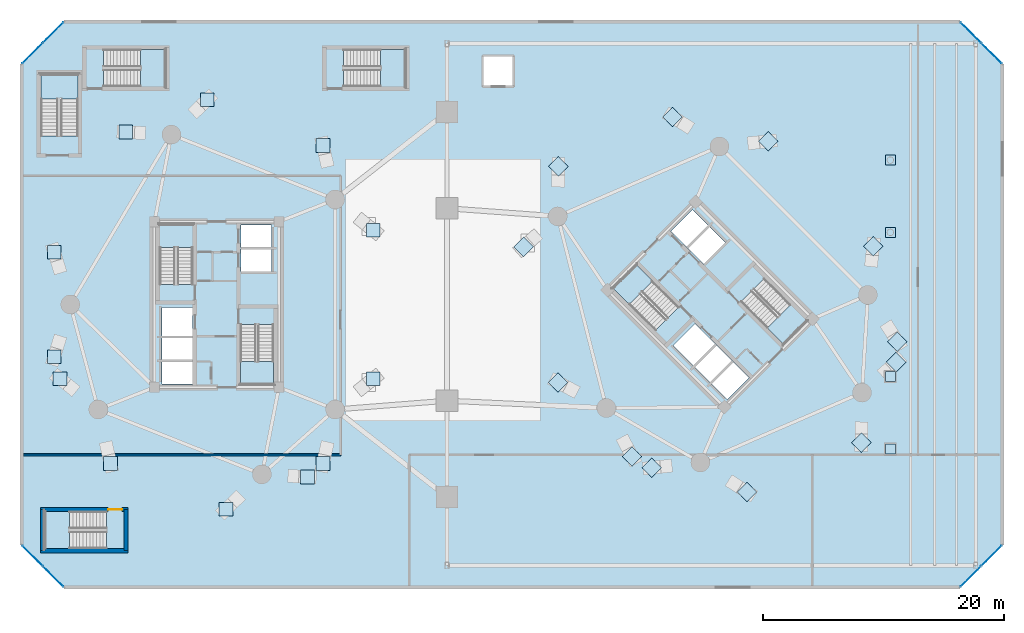
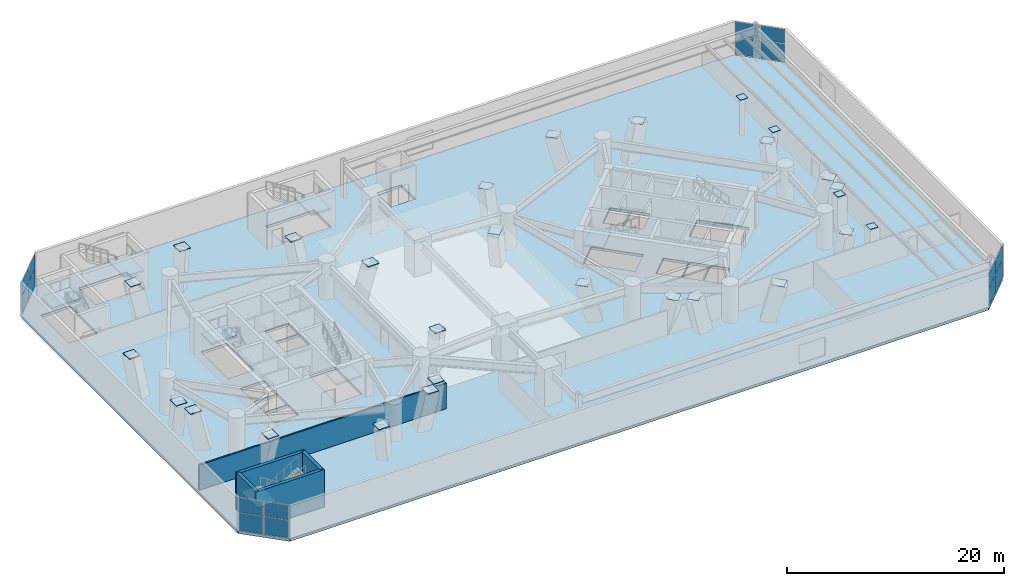
# One storey, part 10 of 20: 44 plates, 9 slabs, 5 walls, 1 door, 1 opening, 12 elements without a shape of their own.
"""IFC4 building model written with IfcOpenShell, lengths in metres."""

from ifc_helpers import new_model, si_unit, direction, frame, frame_2d, origin, origin_2d, place, context, subcontext, project, spatial, polyline, rectangle, outline, extrude, source, transform, mapped, material, layer, layer_set, type_object, element, fill, aggregate, save


model = new_model("IFC4")

# Units and contexts
model_context = context("Model", 3, precision=1e-05, world=origin(), true_north=direction((0.0, 1.0)))
body_context = subcontext(model_context, "Body", "Model", "MODEL_VIEW")
ifc_project = project(units=[si_unit("LENGTHUNIT", "METRE"), si_unit("AREAUNIT", "SQUARE_METRE"), si_unit("VOLUMEUNIT", "CUBIC_METRE"), si_unit("PLANEANGLEUNIT", "RADIAN"), si_unit("MASSUNIT", "GRAM", prefix="KILO")], contexts=[model_context])

# Site, building, storey
site_placement = place(None, origin())
site = spatial("IfcSite", under=ifc_project, at=site_placement, CompositionType="ELEMENT")
building_placement = place(site_placement, origin())
building = spatial("IfcBuilding", under=site, at=building_placement, Name="Cununo Teusaquillo Station Towers", CompositionType="ELEMENT")
storey_placement = place(building_placement, frame((0.0, 0.0, 13.199951171875)))
storey = spatial("IfcBuildingStorey", under=building, at=storey_placement, Name="L03", CompositionType="ELEMENT", Elevation=13.199951171875)

# Slab
ifc_material_1 = material(Name="Concrete C50/60", Category="concrete")
ifc_layer_1 = layer(ifc_material_1, 0.300048828125)
ifc_layer_set_1 = layer_set([ifc_layer_1], Name="Concrete C50/60")
slab_type_1 = type_object("IfcSlabType", Name="SLB-POD-300", PredefinedType="FLOOR", material=ifc_layer_set_1)
slab_1_placement = place(storey_placement, frame((0.0, 0.0, -0.300048828125)))
element("IfcSlab", 1, at=slab_1_placement, inside=storey, type_object=slab_type_1, Name="L03 Structural Slab", PredefinedType="FLOOR", context=body_context, shape_type="SweptSolid", body=[
    extrude(outline(polyline([(3.800048828125, 1.0), (78.300048828125, 1.0), (81.800048828125, 4.5), (81.800048828125, 44.5), (78.300048828125, 48.0), (3.800048828125, 48.0), (0.300048828125, 44.5), (0.300048828125, 4.5), (3.800048828125, 1.0)]), holes=[polyline([(14.52001953125, 26.176025390625), (14.52001953125, 31.159912109375), (11.760009765625, 31.159912109375), (11.760009765625, 26.176025390625), (14.52001953125, 26.176025390625)]), polyline([(18.47998046875, 22.823974609375), (18.47998046875, 17.840087890625), (21.239990234375, 17.840087890625), (21.239990234375, 22.823974609375), (18.47998046875, 22.823974609375)]), polyline([(54.914794921875, 24.28515625), (51.390625, 27.809326171875), (49.43896484375, 25.857666015625), (52.963134765625, 22.33349609375), (54.914794921875, 24.28515625)]), polyline([(60.085205078125, 24.71484375), (63.609375, 21.190673828125), (65.56103515625, 23.142333984375), (62.036865234375, 26.66650390625), (60.085205078125, 24.71484375)]), polyline([(27.055908203125, 42.60009765625), (32.199951171875, 42.60009765625), (32.199951171875, 45.699951171875), (27.055908203125, 45.699951171875), (27.055908203125, 42.60009765625)]), polyline([(7.343994140625, 7.300048828125), (2.199951171875, 7.300048828125), (2.199951171875, 4.199951171875), (7.343994140625, 4.199951171875), (7.343994140625, 7.300048828125)]), polyline([(4.97998046875, 38.506103515625), (4.97998046875, 43.64990234375), (1.8798828125, 43.64990234375), (1.8798828125, 38.506103515625), (4.97998046875, 38.506103515625)]), polyline([(7.10595703125, 42.60009765625), (12.25, 42.60009765625), (12.25, 45.699951171875), (7.10595703125, 45.699951171875), (7.10595703125, 42.60009765625)]), polyline([(11.949951171875, 21.85009765625), (14.47998046875, 21.85009765625), (14.47998046875, 24.25), (11.949951171875, 24.25), (11.949951171875, 21.85009765625)]), polyline([(11.949951171875, 17.89990234375), (14.47998046875, 17.89990234375), (14.47998046875, 19.75), (11.949951171875, 19.75), (11.949951171875, 17.89990234375)]), polyline([(11.949951171875, 19.89990234375), (14.47998046875, 19.89990234375), (14.47998046875, 21.75), (11.949951171875, 21.75), (11.949951171875, 19.89990234375)]), polyline([(18.52001953125, 27.25), (21.050048828125, 27.25), (21.050048828125, 29.10009765625), (18.52001953125, 29.10009765625), (18.52001953125, 27.25)]), polyline([(18.52001953125, 29.25), (21.050048828125, 29.25), (21.050048828125, 31.10009765625), (18.52001953125, 31.10009765625), (18.52001953125, 29.25)]), polyline([(56.156494140625, 19.40869140625), (57.945556640625, 21.19775390625), (56.248291015625, 22.89501953125), (54.45947265625, 21.10595703125), (56.156494140625, 19.40869140625)]), polyline([(58.94970703125, 16.61572265625), (60.738525390625, 18.40478515625), (59.430419921875, 19.712890625), (57.641357421875, 17.923828125), (58.94970703125, 16.61572265625)]), polyline([(57.535400390625, 18.030029296875), (59.32421875, 19.819091796875), (58.01611328125, 21.127197265625), (56.227294921875, 19.338134765625), (57.535400390625, 18.030029296875)]), polyline([(56.98388671875, 27.872802734375), (58.772705078125, 29.661865234375), (57.464599609375, 30.969970703125), (55.67578125, 29.180908203125), (56.98388671875, 27.872802734375)]), polyline([(55.569580078125, 29.287109375), (57.358642578125, 31.076171875), (56.05029296875, 32.38427734375), (54.261474609375, 30.59521484375), (55.569580078125, 29.287109375)]), polyline([(38.60009765625, 42.60009765625), (41.199951171875, 42.60009765625), (41.199951171875, 45.199951171875), (38.60009765625, 45.199951171875), (38.60009765625, 42.60009765625)])]), origin(), (0.0, 0.0, 1.0), 0.300048828125),
])

# Stair, slab
ifc_material_2 = material(Name="Concrete C50/60", Category="concrete")
stair_type_1 = type_object("IfcStairType", Name="ST-TWR-1300", PredefinedType="HALF_TURN_STAIR", material=ifc_material_2)
stair_1_placement = place(storey_placement, origin())
stair_1 = element("IfcStair", 2, at=stair_1_placement, inside=storey, type_object=stair_type_1, Name="L03 Tower A Protected Core Exit Stair 1", PredefinedType="HALF_TURN_STAIR")
ifc_material_3 = material(Name="Concrete C50/60", Category="concrete")
ifc_layer_2 = layer(ifc_material_3, 0.199951171875)
ifc_layer_set_2 = layer_set([ifc_layer_2], Name="Concrete C50/60")
slab_type_2 = type_object("IfcSlabType", Name="SLB-STAIR-LND", PredefinedType="LANDING", material=ifc_layer_set_2)
slab_2_placement = place(storey_placement, frame((0.0, 0.0, 1.900146484375)))
slab_2 = element("IfcSlab", 3, at=slab_2_placement, type_object=slab_type_2, Name="ST-T1-1 landing 1", PredefinedType="LANDING", context=body_context, shape_type="SweptSolid", body=[
    extrude(outline(polyline([(14.52001953125, 29.25), (14.52001953125, 31.159912109375), (11.760009765625, 31.159912109375), (11.760009765625, 29.25), (14.52001953125, 29.25)])), origin(), (0.0, 0.0, 1.0), 0.199951171875),
])
aggregate(stair_1, [slab_2])

stair_2_placement = place(storey_placement, origin())
stair_2 = element("IfcStair", 4, at=stair_2_placement, inside=storey, type_object=stair_type_1, Name="L03 Tower A Protected Core Exit Stair 2", PredefinedType="HALF_TURN_STAIR")
slab_3_placement = place(storey_placement, frame((0.0, 0.0, 1.900146484375)))
slab_3 = element("IfcSlab", 5, at=slab_3_placement, type_object=slab_type_2, Name="ST-T1-2 landing 1", PredefinedType="LANDING", context=body_context, shape_type="SweptSolid", body=[
    extrude(outline(polyline([(18.47998046875, 19.75), (18.47998046875, 17.840087890625), (21.239990234375, 17.840087890625), (21.239990234375, 19.75), (18.47998046875, 19.75)])), origin(), (0.0, 0.0, 1.0), 0.199951171875),
])
aggregate(stair_2, [slab_3])

stair_3_placement = place(storey_placement, origin())
stair_3 = element("IfcStair", 6, at=stair_3_placement, inside=storey, type_object=stair_type_1, Name="L03 Tower B Protected Core Exit Stair 1", PredefinedType="HALF_TURN_STAIR")
slab_4_placement = place(storey_placement, frame((0.0, 0.0, 1.900146484375)))
slab_4 = element("IfcSlab", 7, at=slab_4_placement, type_object=slab_type_2, Name="ST-T2-1 landing 1", PredefinedType="LANDING", context=body_context, shape_type="SweptSolid", body=[
    extrude(outline(polyline([(52.7412109375, 26.458740234375), (51.390625, 27.809326171875), (49.43896484375, 25.857666015625), (50.78955078125, 24.507080078125), (52.7412109375, 26.458740234375)])), origin(), (0.0, 0.0, 1.0), 0.199951171875),
])
aggregate(stair_3, [slab_4])

stair_4_placement = place(storey_placement, origin())
stair_4 = element("IfcStair", 8, at=stair_4_placement, inside=storey, type_object=stair_type_1, Name="L03 Tower B Protected Core Exit Stair 2", PredefinedType="HALF_TURN_STAIR")
slab_5_placement = place(storey_placement, frame((0.0, 0.0, 1.900146484375)))
slab_5 = element("IfcSlab", 9, at=slab_5_placement, type_object=slab_type_2, Name="ST-T2-2 landing 1", PredefinedType="LANDING", context=body_context, shape_type="SweptSolid", body=[
    extrude(outline(polyline([(62.2587890625, 22.541259765625), (63.609375, 21.190673828125), (65.56103515625, 23.142333984375), (64.21044921875, 24.492919921875), (62.2587890625, 22.541259765625)])), origin(), (0.0, 0.0, 1.0), 0.199951171875),
])
aggregate(stair_4, [slab_5])

ifc_material_4 = material(Name="Concrete C50/60", Category="concrete")
stair_type_2 = type_object("IfcStairType", Name="ST-POD-1450", PredefinedType="HALF_TURN_STAIR", material=ifc_material_4)
stair_5_placement = place(storey_placement, origin())
stair_5 = element("IfcStair", 10, at=stair_5_placement, inside=storey, type_object=stair_type_2, Name="L03 Station Podium North Protected Exit Stair", PredefinedType="HALF_TURN_STAIR")
slab_6_placement = place(storey_placement, frame((0.0, 0.0, 1.900146484375)))
slab_6 = element("IfcSlab", 11, at=slab_6_placement, type_object=slab_type_2, Name="ST-POD-N landing 1", PredefinedType="LANDING", context=body_context, shape_type="SweptSolid", body=[
    extrude(outline(polyline([(30.1298828125, 42.60009765625), (32.199951171875, 42.60009765625), (32.199951171875, 45.699951171875), (30.1298828125, 45.699951171875), (30.1298828125, 42.60009765625)])), origin(), (0.0, 0.0, 1.0), 0.199951171875),
])
aggregate(stair_5, [slab_6])

stair_6_placement = place(storey_placement, origin())
stair_6 = element("IfcStair", 12, at=stair_6_placement, inside=storey, type_object=stair_type_2, Name="L03 Station Podium South Protected Exit Stair", PredefinedType="HALF_TURN_STAIR")
slab_7_placement = place(storey_placement, frame((0.0, 0.0, 1.900146484375)))
slab_7 = element("IfcSlab", 13, at=slab_7_placement, type_object=slab_type_2, Name="ST-POD-S landing 1", PredefinedType="LANDING", context=body_context, shape_type="SweptSolid", body=[
    extrude(outline(polyline([(4.27001953125, 7.300048828125), (2.199951171875, 7.300048828125), (2.199951171875, 4.199951171875), (4.27001953125, 4.199951171875), (4.27001953125, 7.300048828125)])), origin(), (0.0, 0.0, 1.0), 0.199951171875),
])
aggregate(stair_6, [slab_7])

stair_7_placement = place(storey_placement, origin())
stair_7 = element("IfcStair", 14, at=stair_7_placement, inside=storey, type_object=stair_type_2, Name="L03 Station Podium West Protected Exit Stair", PredefinedType="HALF_TURN_STAIR")
slab_8_placement = place(storey_placement, frame((0.0, 0.0, 1.900146484375)))
slab_8 = element("IfcSlab", 15, at=slab_8_placement, type_object=slab_type_2, Name="ST-POD-W landing 1", PredefinedType="LANDING", context=body_context, shape_type="SweptSolid", body=[
    extrude(outline(polyline([(4.97998046875, 41.580078125), (4.97998046875, 43.64990234375), (1.8798828125, 43.64990234375), (1.8798828125, 41.580078125), (4.97998046875, 41.580078125)])), origin(), (0.0, 0.0, 1.0), 0.199951171875),
])
aggregate(stair_7, [slab_8])

stair_8_placement = place(storey_placement, origin())
stair_8 = element("IfcStair", 16, at=stair_8_placement, inside=storey, type_object=stair_type_2, Name="L03 Station Podium North-West Protected Exit Stair", PredefinedType="HALF_TURN_STAIR")
slab_9_placement = place(storey_placement, frame((0.0, 0.0, 1.900146484375)))
slab_9 = element("IfcSlab", 17, at=slab_9_placement, type_object=slab_type_2, Name="ST-POD-C landing 1", PredefinedType="LANDING", context=body_context, shape_type="SweptSolid", body=[
    extrude(outline(polyline([(10.179931640625, 42.60009765625), (12.25, 42.60009765625), (12.25, 45.699951171875), (10.179931640625, 45.699951171875), (10.179931640625, 42.60009765625)])), origin(), (0.0, 0.0, 1.0), 0.199951171875),
])
aggregate(stair_8, [slab_9])

# Plates
ifc_material_5 = material(Name="Steel ASTM A572 Grade 50", Category="steel")
ifc_layer_3 = layer(ifc_material_5, 0.0400390625)
ifc_layer_set_3 = layer_set([ifc_layer_3], Name="Steel ASTM A572 Grade 50")
plate_type_1 = type_object("IfcPlateType", Name="PLT-NODE-CRN1", PredefinedType="USERDEFINED", material=ifc_layer_set_3)
shared_shape_1 = source(origin(), body_context, "Body", "SweptSolid", [
    extrude(rectangle(XDim=0.820068359375, YDim=0.820068359375, at=origin_2d()), origin(), (0.0, 0.0, 1.0), 0.0400390625),
])
for number, where, z_axis, x_axis, name in (
    (18, (72.5, 12.5, 4.199951171875), (0.0, 0.0, 1.0), (1.0, 0.0, 0.0), "L03 East Gallery Column Sealed Cap Plate 1"),
    (19, (72.5, 18.5, 4.199951171875), (0.0, 0.0, 1.0), (1.0, 0.0, 0.0), "L03 East Gallery Column Sealed Cap Plate 2"),
    (20, (72.5, 30.5, 4.199951171875), (0.0, 0.0, 1.0), (1.0, 0.0, 0.0), "L03 East Gallery Column Sealed Cap Plate 3"),
    (21, (72.5, 36.5, 4.199951171875), (0.0, 0.0, 1.0), (1.0, 0.0, 0.0), "L03 East Gallery Column Sealed Cap Plate 4"),
):
    element("IfcPlate", number, at=place(storey_placement, frame(where, z_axis=z_axis, x_axis=x_axis)), inside=storey, type_object=plate_type_1, Name=name, ObjectType="GUSSET PLATE", PredefinedType="USERDEFINED", context=body_context, shape_type="MappedRepresentation", body=[
        mapped(shared_shape_1, transform((0.0, 0.0, 0.0), x_axis=(1.0, 0.0, 0.0), y_axis=(0.0, 1.0, 0.0), z_axis=(0.0, 0.0, 1.0), scale=1.0)),
    ])
ifc_material_6 = material(Name="Steel ASTM A572 Grade 50", Category="steel")
ifc_layer_4 = layer(ifc_material_6, 0.06005859375)
ifc_layer_set_4 = layer_set([ifc_layer_4], Name="Steel ASTM A572 Grade 50")
plate_type_2 = type_object("IfcPlateType", Name="PLT-NODE-BDN1", PredefinedType="USERDEFINED", material=ifc_layer_set_4)
shared_shape_2 = source(origin(), body_context, "Body", "SweptSolid", [
    extrude(rectangle(XDim=1.14990234375, YDim=1.14990234375, at=origin_2d()), origin(), (0.0, 0.0, 1.0), 0.06005859375),
])
for number, where, z_axis, x_axis, name in (
    (22, (29.519287109375, 30.673095703125, 4.14013671875), (0.0, 0.0, 1.0), (1.0, 0.0, 0.0), "L03 Tower A V-Foot Pier Head Plate V02L"),
    (23, (25.332763671875, 37.708251953125, 4.14013671875), (0.0, 0.0, 1.0), (1.0, 0.0, 0.0), "L03 Tower A V-Foot Pier Head Plate V02R"),
    (24, (15.71337890625, 41.523193359375, 4.14013671875), (0.0, 0.0, 1.0), (1.0, 0.0, 0.0), "L03 Tower A V-Foot Pier Head Plate V06L"),
    (25, (8.939697265625, 38.836181640625, 4.14013671875), (0.0, 0.0, 1.0), (1.0, 0.0, 0.0), "L03 Tower A V-Foot Pier Head Plate V06R"),
    (26, (2.99462890625, 28.847900390625, 4.14013671875), (0.0, 0.0, 1.0), (1.0, 0.0, 0.0), "L03 Tower A V-Foot Pier Head Plate V10L"),
    (27, (2.99462890625, 20.152099609375, 4.14013671875), (0.0, 0.0, 1.0), (1.0, 0.0, 0.0), "L03 Tower A V-Foot Pier Head Plate V10R"),
    (28, (3.480712890625, 18.326904296875, 4.14013671875), (0.0, 0.0, 1.0), (1.0, 0.0, 0.0), "L03 Tower A V-Foot Pier Head Plate V12L"),
    (29, (7.667236328125, 11.291748046875, 4.14013671875), (0.0, 0.0, 1.0), (1.0, 0.0, 0.0), "L03 Tower A V-Foot Pier Head Plate V12R"),
    (30, (17.28662109375, 7.476806640625, 4.14013671875), (0.0, 0.0, 1.0), (1.0, 0.0, 0.0), "L03 Tower A V-Foot Pier Head Plate V16L"),
    (31, (24.060302734375, 10.163818359375, 4.14013671875), (0.0, 0.0, 1.0), (1.0, 0.0, 0.0), "L03 Tower A V-Foot Pier Head Plate V16R"),
    (32, (25.332763671875, 11.291748046875, 4.14013671875), (0.0, 0.0, 1.0), (1.0, 0.0, 0.0), "L03 Tower A V-Foot Pier Head Plate V18L"),
    (33, (29.519287109375, 18.326904296875, 4.14013671875), (0.0, 0.0, 1.0), (1.0, 0.0, 0.0), "L03 Tower A V-Foot Pier Head Plate V18R"),
    (34, (62.341064453125, 38.071044921875, 4.14013671875), (0.0, 0.0, 1.0), (0.707106781187, 0.707106781187, 0.0), "L03 Tower B V-Foot Pier Head Plate V02L"),
    (35, (54.40625, 40.08544921875, 4.14013671875), (0.0, 0.0, 1.0), (0.707106781187, 0.707106781187, 0.0), "L03 Tower B V-Foot Pier Head Plate V02R"),
    (36, (44.906494140625, 35.981201171875, 4.14013671875), (0.0, 0.0, 1.0), (0.707106781187, 0.707106781187, 0.0), "L03 Tower B V-Foot Pier Head Plate V06L"),
    (37, (42.016845703125, 29.291259765625, 4.14013671875), (0.0, 0.0, 1.0), (0.707106781187, 0.707106781187, 0.0), "L03 Tower B V-Foot Pier Head Plate V06R"),
    (38, (44.875732421875, 18.024658203125, 4.14013671875), (0.0, 0.0, 1.0), (0.707106781187, 0.707106781187, 0.0), "L03 Tower B V-Foot Pier Head Plate V10L"),
    (39, (51.024658203125, 11.875732421875, 4.14013671875), (0.0, 0.0, 1.0), (0.707106781187, 0.707106781187, 0.0), "L03 Tower B V-Foot Pier Head Plate V10R"),
    (40, (52.658935546875, 10.928955078125, 4.14013671875), (0.0, 0.0, 1.0), (0.707106781187, 0.707106781187, 0.0), "L03 Tower B V-Foot Pier Head Plate V12L"),
    (41, (60.59375, 8.91455078125, 4.14013671875), (0.0, 0.0, 1.0), (0.707106781187, 0.707106781187, 0.0), "L03 Tower B V-Foot Pier Head Plate V12R"),
    (42, (70.093505859375, 13.018798828125, 4.14013671875), (0.0, 0.0, 1.0), (0.707106781187, 0.707106781187, 0.0), "L03 Tower B V-Foot Pier Head Plate V16L"),
    (43, (72.983154296875, 19.708740234375, 4.14013671875), (0.0, 0.0, 1.0), (0.707106781187, 0.707106781187, 0.0), "L03 Tower B V-Foot Pier Head Plate V16R"),
    (44, (73.08544921875, 21.40625, 4.14013671875), (0.0, 0.0, 1.0), (0.707106781187, 0.707106781187, 0.0), "L03 Tower B V-Foot Pier Head Plate V18L"),
    (45, (71.071044921875, 29.341064453125, 4.14013671875), (0.0, 0.0, 1.0), (0.707106781187, 0.707106781187, 0.0), "L03 Tower B V-Foot Pier Head Plate V18R"),
):
    element("IfcPlate", number, at=place(storey_placement, frame(where, z_axis=z_axis, x_axis=x_axis)), inside=storey, type_object=plate_type_2, Name=name, ObjectType="BASE PLATE", PredefinedType="USERDEFINED", context=body_context, shape_type="MappedRepresentation", body=[
        mapped(shared_shape_2, transform((0.0, 0.0, 0.0), x_axis=(1.0, 0.0, 0.0), y_axis=(0.0, 1.0, 0.0), z_axis=(0.0, 0.0, 1.0), scale=1.0)),
    ])

# Curtain wall, plates
ifc_material_7 = material(Name="Ceramic-fritted dark low-E double glazing", Category="glass")
ifc_layer_5 = layer(ifc_material_7, 0.179931640625)
ifc_layer_set_5 = layer_set([ifc_layer_5], Name="Ceramic-fritted dark low-E double glazing")
curtain_wall_type = type_object("IfcCurtainWallType", Name="CW-SYS-01", PredefinedType="USERDEFINED", material=ifc_layer_set_5)
curtain_wall_1_placement = place(storey_placement, origin())
curtain_wall_1 = element("IfcCurtainWall", 46, at=curtain_wall_1_placement, inside=storey, type_object=curtain_wall_type, Name="L03 Station Podium Corner Curtain Wall 2", ObjectType="FRITTED GLAZING", PredefinedType="USERDEFINED")
ifc_material_8 = material(Name="Ceramic-fritted dark low-E double glazing", Category="glass")
ifc_layer_6 = layer(ifc_material_8, 0.028076171875)
ifc_layer_set_6 = layer_set([ifc_layer_6], Name="Ceramic-fritted dark low-E double glazing")
plate_type_3 = type_object("IfcPlateType", Name="CWP-FRIT-28", PredefinedType="CURTAIN_PANEL", material=ifc_layer_set_6)
shared_shape_3 = source(origin(), body_context, "Body", "SweptSolid", [
    extrude(rectangle(XDim=2.35498046875, YDim=0.028076171875, at=origin_2d()), origin(), (0.0, 0.0, 1.0), 1.985107421875),
])
plate_1_placement = place(storey_placement, frame((1.189208984375, 45.38916015625, 0.06982421875), z_axis=(0.0, 0.0, 1.0), x_axis=(0.707106781187, 0.707106781187, 0.0)))
plate_1 = element("IfcPlate", 47, at=plate_1_placement, type_object=plate_type_3, Name="CW-01 panel 1.1", PredefinedType="CURTAIN_PANEL", context=body_context, shape_type="MappedRepresentation", body=[
    mapped(shared_shape_3, transform((0.0, 0.0, 0.0), x_axis=(1.0, 0.0, 0.0), y_axis=(0.0, 1.0, 0.0), z_axis=(0.0, 0.0, 1.0), scale=1.0)),
])
plate_2_placement = place(storey_placement, frame((2.910888671875, 47.11083984375, 0.06982421875), z_axis=(0.0, 0.0, 1.0), x_axis=(0.707106781187, 0.707106781187, 0.0)))
plate_2 = element("IfcPlate", 48, at=plate_2_placement, type_object=plate_type_3, Name="CW-01 panel 2.1", PredefinedType="CURTAIN_PANEL", context=body_context, shape_type="MappedRepresentation", body=[
    mapped(shared_shape_3, transform((0.0, 0.0, 0.0), x_axis=(1.0, 0.0, 0.0), y_axis=(0.0, 1.0, 0.0), z_axis=(0.0, 0.0, 1.0), scale=1.0)),
])

curtain_wall_2_placement = place(storey_placement, origin())
curtain_wall_2 = element("IfcCurtainWall", 49, at=curtain_wall_2_placement, inside=storey, type_object=curtain_wall_type, Name="L03 Station Podium Corner Curtain Wall 4", ObjectType="FRITTED GLAZING", PredefinedType="USERDEFINED")
plate_3_placement = place(storey_placement, frame((79.189208984375, 47.11083984375, 0.06982421875), z_axis=(0.0, 0.0, 1.0), x_axis=(0.707106781187, -0.707106781187, 0.0)))
plate_3 = element("IfcPlate", 50, at=plate_3_placement, type_object=plate_type_3, Name="CW-01 panel 1.1", PredefinedType="CURTAIN_PANEL", context=body_context, shape_type="MappedRepresentation", body=[
    mapped(shared_shape_3, transform((0.0, 0.0, 0.0), x_axis=(1.0, 0.0, 0.0), y_axis=(0.0, 1.0, 0.0), z_axis=(0.0, 0.0, 1.0), scale=1.0)),
])
plate_4_placement = place(storey_placement, frame((80.910888671875, 45.38916015625, 0.06982421875), z_axis=(0.0, 0.0, 1.0), x_axis=(0.707106781187, -0.707106781187, 0.0)))
plate_4 = element("IfcPlate", 51, at=plate_4_placement, type_object=plate_type_3, Name="CW-01 panel 2.1", PredefinedType="CURTAIN_PANEL", context=body_context, shape_type="MappedRepresentation", body=[
    mapped(shared_shape_3, transform((0.0, 0.0, 0.0), x_axis=(1.0, 0.0, 0.0), y_axis=(0.0, 1.0, 0.0), z_axis=(0.0, 0.0, 1.0), scale=1.0)),
])

curtain_wall_3_placement = place(storey_placement, origin())
curtain_wall_3 = element("IfcCurtainWall", 52, at=curtain_wall_3_placement, inside=storey, type_object=curtain_wall_type, Name="L03 Station Podium Corner Curtain Wall 6", ObjectType="FRITTED GLAZING", PredefinedType="USERDEFINED")
plate_5_placement = place(storey_placement, frame((80.910888671875, 3.61083984375, 0.06982421875), z_axis=(0.0, 0.0, 1.0), x_axis=(-0.707106781187, -0.707106781187, 0.0)))
plate_5 = element("IfcPlate", 53, at=plate_5_placement, type_object=plate_type_3, Name="CW-01 panel 1.1", PredefinedType="CURTAIN_PANEL", context=body_context, shape_type="MappedRepresentation", body=[
    mapped(shared_shape_3, transform((0.0, 0.0, 0.0), x_axis=(1.0, 0.0, 0.0), y_axis=(0.0, 1.0, 0.0), z_axis=(0.0, 0.0, 1.0), scale=1.0)),
])
plate_6_placement = place(storey_placement, frame((79.189208984375, 1.88916015625, 0.06982421875), z_axis=(0.0, 0.0, 1.0), x_axis=(-0.707106781187, -0.707106781187, 0.0)))
plate_6 = element("IfcPlate", 54, at=plate_6_placement, type_object=plate_type_3, Name="CW-01 panel 2.1", PredefinedType="CURTAIN_PANEL", context=body_context, shape_type="MappedRepresentation", body=[
    mapped(shared_shape_3, transform((0.0, 0.0, 0.0), x_axis=(1.0, 0.0, 0.0), y_axis=(0.0, 1.0, 0.0), z_axis=(0.0, 0.0, 1.0), scale=1.0)),
])

curtain_wall_4_placement = place(storey_placement, origin())
curtain_wall_4 = element("IfcCurtainWall", 55, at=curtain_wall_4_placement, inside=storey, type_object=curtain_wall_type, Name="L03 Station Podium Corner Curtain Wall 8", ObjectType="FRITTED GLAZING", PredefinedType="USERDEFINED")
plate_7_placement = place(storey_placement, frame((2.910888671875, 1.88916015625, 0.06982421875), z_axis=(0.0, 0.0, 1.0), x_axis=(-0.707106781187, 0.707106781187, 0.0)))
plate_7 = element("IfcPlate", 56, at=plate_7_placement, type_object=plate_type_3, Name="CW-01 panel 1.1", PredefinedType="CURTAIN_PANEL", context=body_context, shape_type="MappedRepresentation", body=[
    mapped(shared_shape_3, transform((0.0, 0.0, 0.0), x_axis=(1.0, 0.0, 0.0), y_axis=(0.0, 1.0, 0.0), z_axis=(0.0, 0.0, 1.0), scale=1.0)),
])
plate_8_placement = place(storey_placement, frame((1.189208984375, 3.61083984375, 0.06982421875), z_axis=(0.0, 0.0, 1.0), x_axis=(-0.707106781187, 0.707106781187, 0.0)))
plate_8 = element("IfcPlate", 57, at=plate_8_placement, type_object=plate_type_3, Name="CW-01 panel 2.1", PredefinedType="CURTAIN_PANEL", context=body_context, shape_type="MappedRepresentation", body=[
    mapped(shared_shape_3, transform((0.0, 0.0, 0.0), x_axis=(1.0, 0.0, 0.0), y_axis=(0.0, 1.0, 0.0), z_axis=(0.0, 0.0, 1.0), scale=1.0)),
])

# Plate
shared_shape_4 = source(origin(), body_context, "Body", "SweptSolid", [
    extrude(rectangle(XDim=2.35498046875, YDim=0.028076171875, at=origin_2d()), origin(), (0.0, 0.0, 1.0), 1.60498046875),
])
plate_9_placement = place(storey_placement, frame((1.189208984375, 45.38916015625, 2.125), z_axis=(0.0, 0.0, 1.0), x_axis=(0.707106781187, 0.707106781187, 0.0)))
plate_9 = element("IfcPlate", 58, at=plate_9_placement, type_object=plate_type_3, Name="CW-01 panel 1.2", PredefinedType="CURTAIN_PANEL", context=body_context, shape_type="MappedRepresentation", body=[
    mapped(shared_shape_4, transform((0.0, 0.0, 0.0), x_axis=(1.0, 0.0, 0.0), y_axis=(0.0, 1.0, 0.0), z_axis=(0.0, 0.0, 1.0), scale=1.0)),
])

plate_10_placement = place(storey_placement, frame((2.910888671875, 47.11083984375, 2.125), z_axis=(0.0, 0.0, 1.0), x_axis=(0.707106781187, 0.707106781187, 0.0)))
plate_10 = element("IfcPlate", 59, at=plate_10_placement, type_object=plate_type_3, Name="CW-01 panel 2.2", PredefinedType="CURTAIN_PANEL", context=body_context, shape_type="MappedRepresentation", body=[
    mapped(shared_shape_4, transform((0.0, 0.0, 0.0), x_axis=(1.0, 0.0, 0.0), y_axis=(0.0, 1.0, 0.0), z_axis=(0.0, 0.0, 1.0), scale=1.0)),
])

aggregate(curtain_wall_1, [plate_1, plate_9, plate_2, plate_10])

plate_11_placement = place(storey_placement, frame((79.189208984375, 47.11083984375, 2.125), z_axis=(0.0, 0.0, 1.0), x_axis=(0.707106781187, -0.707106781187, 0.0)))
plate_11 = element("IfcPlate", 60, at=plate_11_placement, type_object=plate_type_3, Name="CW-01 panel 1.2", PredefinedType="CURTAIN_PANEL", context=body_context, shape_type="MappedRepresentation", body=[
    mapped(shared_shape_4, transform((0.0, 0.0, 0.0), x_axis=(1.0, 0.0, 0.0), y_axis=(0.0, 1.0, 0.0), z_axis=(0.0, 0.0, 1.0), scale=1.0)),
])

plate_12_placement = place(storey_placement, frame((80.910888671875, 45.38916015625, 2.125), z_axis=(0.0, 0.0, 1.0), x_axis=(0.707106781187, -0.707106781187, 0.0)))
plate_12 = element("IfcPlate", 61, at=plate_12_placement, type_object=plate_type_3, Name="CW-01 panel 2.2", PredefinedType="CURTAIN_PANEL", context=body_context, shape_type="MappedRepresentation", body=[
    mapped(shared_shape_4, transform((0.0, 0.0, 0.0), x_axis=(1.0, 0.0, 0.0), y_axis=(0.0, 1.0, 0.0), z_axis=(0.0, 0.0, 1.0), scale=1.0)),
])

aggregate(curtain_wall_2, [plate_3, plate_11, plate_4, plate_12])

plate_13_placement = place(storey_placement, frame((80.910888671875, 3.61083984375, 2.125), z_axis=(0.0, 0.0, 1.0), x_axis=(-0.707106781187, -0.707106781187, 0.0)))
plate_13 = element("IfcPlate", 62, at=plate_13_placement, type_object=plate_type_3, Name="CW-01 panel 1.2", PredefinedType="CURTAIN_PANEL", context=body_context, shape_type="MappedRepresentation", body=[
    mapped(shared_shape_4, transform((0.0, 0.0, 0.0), x_axis=(1.0, 0.0, 0.0), y_axis=(0.0, 1.0, 0.0), z_axis=(0.0, 0.0, 1.0), scale=1.0)),
])

plate_14_placement = place(storey_placement, frame((79.189208984375, 1.88916015625, 2.125), z_axis=(0.0, 0.0, 1.0), x_axis=(-0.707106781187, -0.707106781187, 0.0)))
plate_14 = element("IfcPlate", 63, at=plate_14_placement, type_object=plate_type_3, Name="CW-01 panel 2.2", PredefinedType="CURTAIN_PANEL", context=body_context, shape_type="MappedRepresentation", body=[
    mapped(shared_shape_4, transform((0.0, 0.0, 0.0), x_axis=(1.0, 0.0, 0.0), y_axis=(0.0, 1.0, 0.0), z_axis=(0.0, 0.0, 1.0), scale=1.0)),
])

aggregate(curtain_wall_3, [plate_5, plate_13, plate_6, plate_14])

plate_15_placement = place(storey_placement, frame((2.910888671875, 1.88916015625, 2.125), z_axis=(0.0, 0.0, 1.0), x_axis=(-0.707106781187, 0.707106781187, 0.0)))
plate_15 = element("IfcPlate", 64, at=plate_15_placement, type_object=plate_type_3, Name="CW-01 panel 1.2", PredefinedType="CURTAIN_PANEL", context=body_context, shape_type="MappedRepresentation", body=[
    mapped(shared_shape_4, transform((0.0, 0.0, 0.0), x_axis=(1.0, 0.0, 0.0), y_axis=(0.0, 1.0, 0.0), z_axis=(0.0, 0.0, 1.0), scale=1.0)),
])

plate_16_placement = place(storey_placement, frame((1.189208984375, 3.61083984375, 2.125), z_axis=(0.0, 0.0, 1.0), x_axis=(-0.707106781187, 0.707106781187, 0.0)))
plate_16 = element("IfcPlate", 65, at=plate_16_placement, type_object=plate_type_3, Name="CW-01 panel 2.2", PredefinedType="CURTAIN_PANEL", context=body_context, shape_type="MappedRepresentation", body=[
    mapped(shared_shape_4, transform((0.0, 0.0, 0.0), x_axis=(1.0, 0.0, 0.0), y_axis=(0.0, 1.0, 0.0), z_axis=(0.0, 0.0, 1.0), scale=1.0)),
])

aggregate(curtain_wall_4, [plate_7, plate_15, plate_8, plate_16])

# Wall
ifc_material_9 = material(Name="Concrete C50/60", Category="concrete")
ifc_layer_7 = layer(ifc_material_9, 0.35009765625)
ifc_layer_set_7 = layer_set([ifc_layer_7], Name="Concrete C50/60")
wall_type_1 = type_object("IfcWallType", Name="WL-CORE-350", PredefinedType="SHEAR", material=ifc_layer_set_7)
wall_1_placement = place(storey_placement, frame((1.860107421875, 4.034912109375, 0.0), z_axis=(0.0, 0.0, 1.0), x_axis=(1.0, 0.0, 0.0)))
element("IfcWall", 66, at=wall_1_placement, inside=storey, type_object=wall_type_1, Name="L03 Podium South Exit Stair Concrete Shaft Wall S", PredefinedType="SHEAR", context=body_context, shape_type="SweptSolid", body=[
    extrude(rectangle(XDim=7.27978515625, YDim=0.35009765625, at=frame_2d((3.639892578125, 0.0))), origin(), (0.0, 0.0, 1.0), 4.199951171875),
])

# Wall, opening, door
wall_2_placement = place(storey_placement, frame((1.860107421875, 7.465087890625, 0.0), z_axis=(0.0, 0.0, 1.0), x_axis=(1.0, 0.0, 0.0)))
wall_2 = element("IfcWall", 67, at=wall_2_placement, inside=storey, type_object=wall_type_1, Name="L03 Podium South Exit Stair Concrete Shaft Wall N", PredefinedType="SHEAR", context=body_context, shape_type="SweptSolid", body=[
    extrude(rectangle(XDim=7.27978515625, YDim=0.35009765625, at=frame_2d((3.639892578125, 0.0))), origin(), (0.0, 0.0, 1.0), 4.199951171875),
])
shared_shape_5 = source(origin(), body_context, "Body", "SweptSolid", [
    extrude(rectangle(XDim=1.14990234375, YDim=2.02001953125, at=frame_2d((0.574951171875, 1.010009765625))), frame((0.0, 0.18505859375, 0.0), z_axis=(0.0, -1.0, 0.0), x_axis=(1.0, 0.0, 0.0)), (0.0, 0.0, 1.0), 0.3701171875),
])
opening_placement = place(wall_2_placement, frame((5.6201171875, 0.0, 0.0)))
opening = element("IfcOpeningElement", 68, at=opening_placement, cuts=wall_2, Name="Opening D-ST1", PredefinedType="OPENING", context=body_context, shape_type="MappedRepresentation", body=[
    mapped(shared_shape_5, transform((0.0, 0.0, 0.0), x_axis=(1.0, 0.0, 0.0), y_axis=(0.0, 1.0, 0.0), z_axis=(0.0, 0.0, 1.0), scale=1.0)),
])
ifc_material_10 = material(Name="Galvanised fire-rated hollow steel door assembly", Category="steel")
door_type = type_object("IfcDoorType", Name="DR-STAIR-1150", OperationType="NOTDEFINED", PredefinedType="DOOR", material=ifc_material_10)
shared_shape_6 = source(origin(), body_context, "Body", "SweptSolid", [
    extrude(rectangle(XDim=1.14990234375, YDim=2.02001953125, at=frame_2d((0.574951171875, 1.010009765625))), frame((0.0, 0.02490234375, 0.0), z_axis=(0.0, -1.0, 0.0), x_axis=(1.0, 0.0, 0.0)), (0.0, 0.0, 1.0), 0.050048828125),
])
door_placement = place(opening_placement, origin())
door = element("IfcDoor", 69, at=door_placement, inside=storey, type_object=door_type, Name="L03 South Podium Exit Stair Door", OperationType="SINGLE_SWING_RIGHT", OverallHeight=2.02001953125, OverallWidth=1.14990234375, PredefinedType="DOOR", context=body_context, shape_type="MappedRepresentation", body=[
    mapped(shared_shape_6, transform((0.0, 0.0, 0.0), x_axis=(1.0, 0.0, 0.0), y_axis=(0.0, 1.0, 0.0), z_axis=(0.0, 0.0, 1.0), scale=1.0)),
])
fill(opening, door)

# Walls
for number, where, z_axis, x_axis, name in (
    (70, (2.034912109375, 4.034912109375, 0.0), (0.0, 0.0, 1.0), (0.0, 1.0, 0.0), "L03 Podium South Exit Stair Concrete Shaft Wall W"),
    (71, (8.965087890625, 4.034912109375, 0.0), (0.0, 0.0, 1.0), (0.0, 1.0, 0.0), "L03 Podium South Exit Stair Concrete Shaft Wall E"),
):
    element("IfcWall", number, at=place(storey_placement, frame(where, z_axis=z_axis, x_axis=x_axis)), inside=storey, type_object=wall_type_1, Name=name, PredefinedType="SHEAR", context=body_context, shape_type="SweptSolid", body=[
        extrude(rectangle(XDim=3.43017578125, YDim=0.35009765625, at=frame_2d((1.715087890625, 0.0))), origin(), (0.0, 0.0, 1.0), 4.199951171875),
    ])
ifc_material_11 = material(Name="Fire-rated gypsum plasterboard partition assembly", Category="gypsum")
ifc_layer_8 = layer(ifc_material_11, 0.159912109375)
ifc_layer_set_8 = layer_set([ifc_layer_8], Name="Fire-rated gypsum plasterboard partition assembly")
wall_type_2 = type_object("IfcWallType", Name="WL-PART-160", PredefinedType="PARTITIONING", material=ifc_layer_set_8)
wall_3_placement = place(storey_placement, frame((0.449951171875, 12.0, 0.0), z_axis=(0.0, 0.0, 1.0), x_axis=(1.0, 0.0, 0.0)))
element("IfcWall", 72, at=wall_3_placement, inside=storey, type_object=wall_type_2, Name="L03 West Wing South Wall", PredefinedType="PARTITIONING", context=body_context, shape_type="SweptSolid", body=[
    extrude(rectangle(XDim=26.35009765625, YDim=0.159912109375, at=frame_2d((13.175048828125, 0.0))), origin(), (0.0, 0.0, 1.0), 2.843994140625),
])

save(model, "model.ifc")
